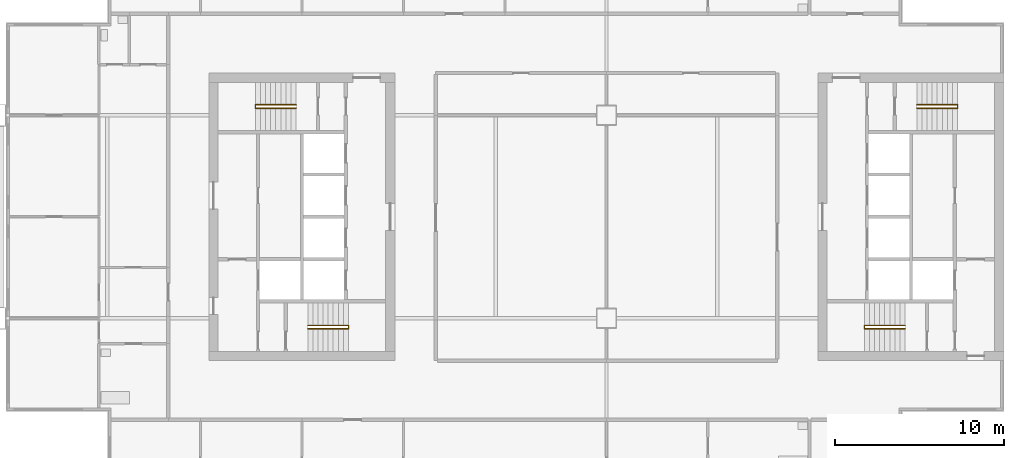
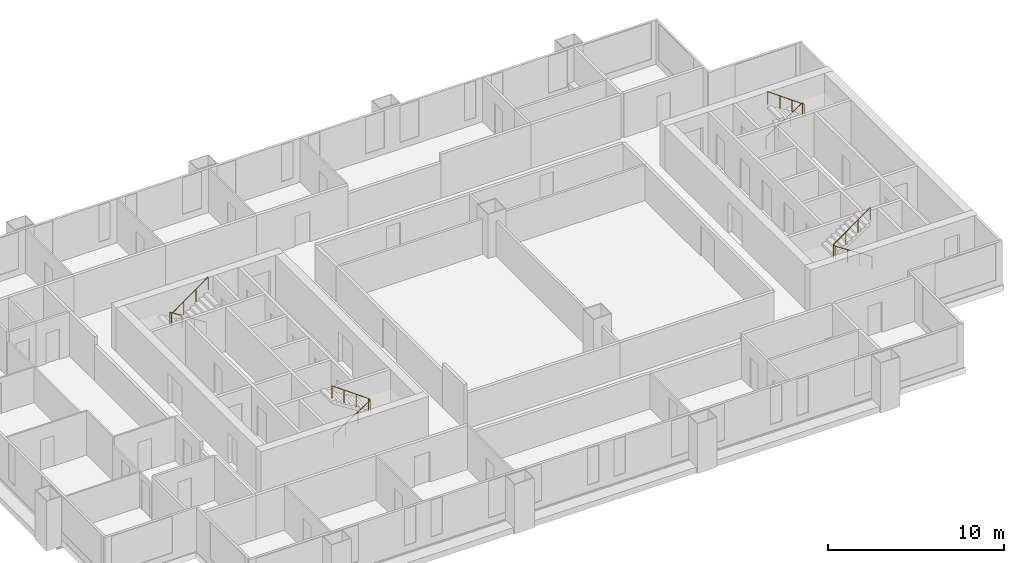
# One storey, part 8 of 9: 4 railings.
"""IFC4 building model written with IfcOpenShell, lengths in metres."""

from ifc_helpers import new_model, si_unit, direction, frame, origin, origin_2d, place, context, subcontext, project, spatial, circle, extrude, material, type_object, element, save


model = new_model("IFC4")

# Units and contexts
model_context = context("Model", 3, precision=1e-05, world=origin(), true_north=direction((0.0, 1.0)))
body_context = subcontext(model_context, "Body", "Model", "MODEL_VIEW")
ifc_project = project(units=[si_unit("LENGTHUNIT", "METRE"), si_unit("AREAUNIT", "SQUARE_METRE"), si_unit("VOLUMEUNIT", "CUBIC_METRE"), si_unit("PLANEANGLEUNIT", "RADIAN"), si_unit("MASSUNIT", "GRAM", prefix="KILO")], contexts=[model_context])

# Site, building, storey
site_placement = place(None, origin())
site = spatial("IfcSite", under=ifc_project, at=site_placement, CompositionType="ELEMENT")
building_placement = place(site_placement, origin())
building = spatial("IfcBuilding", under=site, at=building_placement, Name="Kitamizu Gate Tower and Museum", CompositionType="ELEMENT")
storey_placement = place(building_placement, frame((0.0, 0.0, 168.60009765625)))
storey = spatial("IfcBuildingStorey", under=building, at=storey_placement, Name="L44", CompositionType="ELEMENT", Elevation=168.60009765625)

# Railings
ifc_material = material(Name="Stainless steel SUS304", Category="steel")
railing_type = type_object("IfcRailingType", Name="Stair handrail 900", PredefinedType="HANDRAIL", material=ifc_material)
railing_1_placement = place(storey_placement, frame((18.35009765625, 23.375, 0.191650390625)))
element("IfcRailing", 1, at=railing_1_placement, inside=storey, type_object=railing_type, Name="Stair handrail ST1", PredefinedType="HANDRAIL", context=body_context, shape_type="SweptSolid", body=[
    extrude(circle(Radius=0.02392578125, at=origin_2d()), frame((0.0, 0.0, 0.8759765625), z_axis=(0.84270706373, 0.0, 0.538372366248), x_axis=(0.0, 1.0, 0.0)), (0.0, 0.0, 1.0), 2.847900390625),
    extrude(circle(Radius=0.02392578125, at=origin_2d()), frame((2.39990234375, 0.0, 2.4091796875), z_axis=(0.0, 1.0, 0.0), x_axis=(-1.0, 0.0, 0.0)), (0.0, 0.0, 1.0), 0.199951171875),
    extrude(circle(Radius=0.02392578125, at=origin_2d()), frame((2.39990234375, 0.199951171875, 2.4091796875), z_axis=(-0.811988456656, 0.0, 0.583673492852), x_axis=(0.0, -1.0, 0.0)), (0.0, 0.0, 1.0), 2.95556640625),
    extrude(circle(Radius=0.02099609375, at=origin_2d()), origin(), (0.0, 0.0, 1.0), 0.851806640625),
    extrude(circle(Radius=0.02099609375, at=origin_2d()), frame((0.800048828125, 0.0, 0.510986328125)), (0.0, 0.0, 1.0), 0.851806640625),
    extrude(circle(Radius=0.02099609375, at=origin_2d()), frame((1.599853515625, 0.0, 1.022216796875)), (0.0, 0.0, 1.0), 0.851806640625),
    extrude(circle(Radius=0.02099609375, at=origin_2d()), frame((2.39990234375, 0.0, 1.533203125)), (0.0, 0.0, 1.0), 0.851806640625),
    extrude(circle(Radius=0.02099609375, at=origin_2d()), frame((2.39990234375, 0.199951171875, 1.533203125)), (0.0, 0.0, 1.0), 0.851806640625),
    extrude(circle(Radius=0.02099609375, at=origin_2d()), frame((1.599853515625, 0.199951171875, 2.108154296875)), (0.0, 0.0, 1.0), 0.851806640625),
    extrude(circle(Radius=0.02099609375, at=origin_2d()), frame((0.800048828125, 0.199951171875, 2.683349609375)), (0.0, 0.0, 1.0), 0.851806640625),
    extrude(circle(Radius=0.02099609375, at=origin_2d()), frame((0.0, 0.199951171875, 3.25830078125)), (0.0, 0.0, 1.0), 0.851806640625),
])
railing_2_placement = place(storey_placement, frame((17.64990234375, 36.625, 0.191650390625)))
element("IfcRailing", 2, at=railing_2_placement, inside=storey, type_object=railing_type, Name="Stair handrail ST2", PredefinedType="HANDRAIL", context=body_context, shape_type="SweptSolid", body=[
    extrude(circle(Radius=0.02392578125, at=origin_2d()), frame((0.0, 0.0, 0.8759765625), z_axis=(-0.84270706373, 0.0, 0.538372366248), x_axis=(0.0, -1.0, 0.0)), (0.0, 0.0, 1.0), 2.847900390625),
    extrude(circle(Radius=0.02392578125, at=origin_2d()), frame((-2.39990234375, 0.0, 2.4091796875), z_axis=(0.0, -1.0, 0.0), x_axis=(1.0, 0.0, 0.0)), (0.0, 0.0, 1.0), 0.199951171875),
    extrude(circle(Radius=0.02392578125, at=origin_2d()), frame((-2.39990234375, -0.199951171875, 2.4091796875), z_axis=(0.811988456656, 0.0, 0.583673492852), x_axis=(0.0, 1.0, 0.0)), (0.0, 0.0, 1.0), 2.95556640625),
    extrude(circle(Radius=0.02099609375, at=origin_2d()), origin(), (0.0, 0.0, 1.0), 0.851806640625),
    extrude(circle(Radius=0.02099609375, at=origin_2d()), frame((-0.800048828125, 0.0, 0.510986328125)), (0.0, 0.0, 1.0), 0.851806640625),
    extrude(circle(Radius=0.02099609375, at=origin_2d()), frame((-1.599853515625, 0.0, 1.022216796875)), (0.0, 0.0, 1.0), 0.851806640625),
    extrude(circle(Radius=0.02099609375, at=origin_2d()), frame((-2.39990234375, 0.0, 1.533203125)), (0.0, 0.0, 1.0), 0.851806640625),
    extrude(circle(Radius=0.02099609375, at=origin_2d()), frame((-2.39990234375, -0.199951171875, 1.533203125)), (0.0, 0.0, 1.0), 0.851806640625),
    extrude(circle(Radius=0.02099609375, at=origin_2d()), frame((-1.599853515625, -0.199951171875, 2.108154296875)), (0.0, 0.0, 1.0), 0.851806640625),
    extrude(circle(Radius=0.02099609375, at=origin_2d()), frame((-0.800048828125, -0.199951171875, 2.683349609375)), (0.0, 0.0, 1.0), 0.851806640625),
    extrude(circle(Radius=0.02099609375, at=origin_2d()), frame((0.0, -0.199951171875, 3.25830078125)), (0.0, 0.0, 1.0), 0.851806640625),
])
railing_3_placement = place(storey_placement, frame((53.64990234375, 23.375, 0.191650390625)))
element("IfcRailing", 3, at=railing_3_placement, inside=storey, type_object=railing_type, Name="Stair handrail ST3", PredefinedType="HANDRAIL", context=body_context, shape_type="SweptSolid", body=[
    extrude(circle(Radius=0.02392578125, at=origin_2d()), frame((0.0, 0.0, 0.8759765625), z_axis=(-0.84270706373, 0.0, 0.538372366248), x_axis=(0.0, -1.0, 0.0)), (0.0, 0.0, 1.0), 2.847900390625),
    extrude(circle(Radius=0.02392578125, at=origin_2d()), frame((-2.39990234375, 0.0, 2.4091796875), z_axis=(0.0, 1.0, 0.0), x_axis=(-1.0, 0.0, 0.0)), (0.0, 0.0, 1.0), 0.199951171875),
    extrude(circle(Radius=0.02392578125, at=origin_2d()), frame((-2.39990234375, 0.199951171875, 2.4091796875), z_axis=(0.811988456656, 0.0, 0.583673492852), x_axis=(0.0, 1.0, 0.0)), (0.0, 0.0, 1.0), 2.95556640625),
    extrude(circle(Radius=0.02099609375, at=origin_2d()), origin(), (0.0, 0.0, 1.0), 0.851806640625),
    extrude(circle(Radius=0.02099609375, at=origin_2d()), frame((-0.800048828125, 0.0, 0.510986328125)), (0.0, 0.0, 1.0), 0.851806640625),
    extrude(circle(Radius=0.02099609375, at=origin_2d()), frame((-1.599853515625, 0.0, 1.022216796875)), (0.0, 0.0, 1.0), 0.851806640625),
    extrude(circle(Radius=0.02099609375, at=origin_2d()), frame((-2.39990234375, 0.0, 1.533203125)), (0.0, 0.0, 1.0), 0.851806640625),
    extrude(circle(Radius=0.02099609375, at=origin_2d()), frame((-2.39990234375, 0.199951171875, 1.533203125)), (0.0, 0.0, 1.0), 0.851806640625),
    extrude(circle(Radius=0.02099609375, at=origin_2d()), frame((-1.599853515625, 0.199951171875, 2.108154296875)), (0.0, 0.0, 1.0), 0.851806640625),
    extrude(circle(Radius=0.02099609375, at=origin_2d()), frame((-0.800048828125, 0.199951171875, 2.683349609375)), (0.0, 0.0, 1.0), 0.851806640625),
    extrude(circle(Radius=0.02099609375, at=origin_2d()), frame((0.0, 0.199951171875, 3.25830078125)), (0.0, 0.0, 1.0), 0.851806640625),
])
railing_4_placement = place(storey_placement, frame((54.35009765625, 36.625, 0.191650390625)))
element("IfcRailing", 4, at=railing_4_placement, inside=storey, type_object=railing_type, Name="Stair handrail ST4", PredefinedType="HANDRAIL", context=body_context, shape_type="SweptSolid", body=[
    extrude(circle(Radius=0.02392578125, at=origin_2d()), frame((0.0, 0.0, 0.8759765625), z_axis=(0.84270706373, 0.0, 0.538372366248), x_axis=(0.0, 1.0, 0.0)), (0.0, 0.0, 1.0), 2.847900390625),
    extrude(circle(Radius=0.02392578125, at=origin_2d()), frame((2.39990234375, 0.0, 2.4091796875), z_axis=(0.0, -1.0, 0.0), x_axis=(1.0, 0.0, 0.0)), (0.0, 0.0, 1.0), 0.199951171875),
    extrude(circle(Radius=0.02392578125, at=origin_2d()), frame((2.39990234375, -0.199951171875, 2.4091796875), z_axis=(-0.811988456656, 0.0, 0.583673492852), x_axis=(0.0, -1.0, 0.0)), (0.0, 0.0, 1.0), 2.95556640625),
    extrude(circle(Radius=0.02099609375, at=origin_2d()), origin(), (0.0, 0.0, 1.0), 0.851806640625),
    extrude(circle(Radius=0.02099609375, at=origin_2d()), frame((0.800048828125, 0.0, 0.510986328125)), (0.0, 0.0, 1.0), 0.851806640625),
    extrude(circle(Radius=0.02099609375, at=origin_2d()), frame((1.599853515625, 0.0, 1.022216796875)), (0.0, 0.0, 1.0), 0.851806640625),
    extrude(circle(Radius=0.02099609375, at=origin_2d()), frame((2.39990234375, 0.0, 1.533203125)), (0.0, 0.0, 1.0), 0.851806640625),
    extrude(circle(Radius=0.02099609375, at=origin_2d()), frame((2.39990234375, -0.199951171875, 1.533203125)), (0.0, 0.0, 1.0), 0.851806640625),
    extrude(circle(Radius=0.02099609375, at=origin_2d()), frame((1.599853515625, -0.199951171875, 2.108154296875)), (0.0, 0.0, 1.0), 0.851806640625),
    extrude(circle(Radius=0.02099609375, at=origin_2d()), frame((0.800048828125, -0.199951171875, 2.683349609375)), (0.0, 0.0, 1.0), 0.851806640625),
    extrude(circle(Radius=0.02099609375, at=origin_2d()), frame((0.0, -0.199951171875, 3.25830078125)), (0.0, 0.0, 1.0), 0.851806640625),
])

save(model, "model.ifc")
